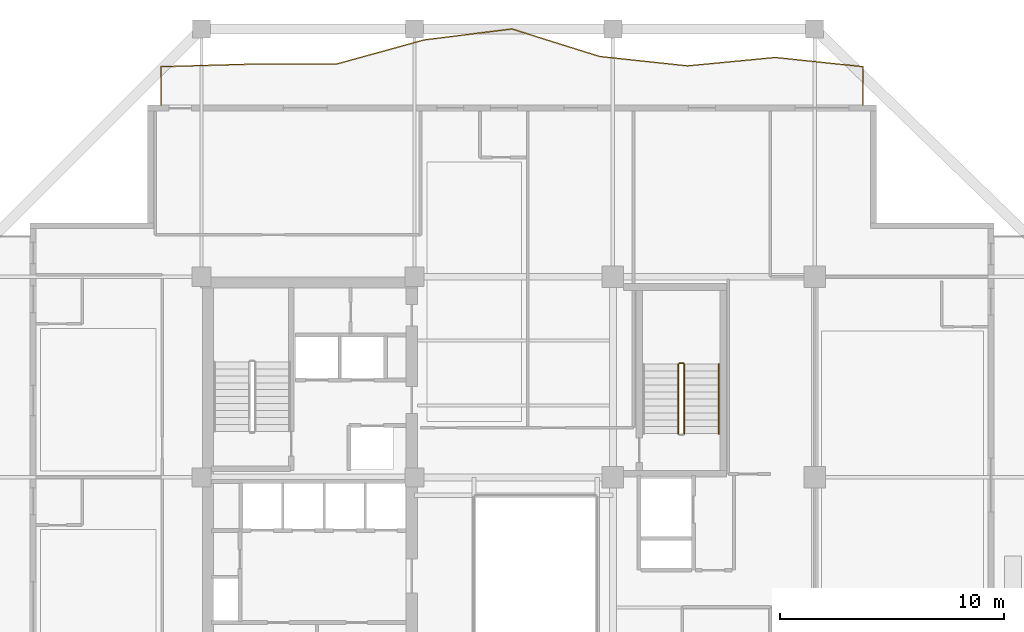
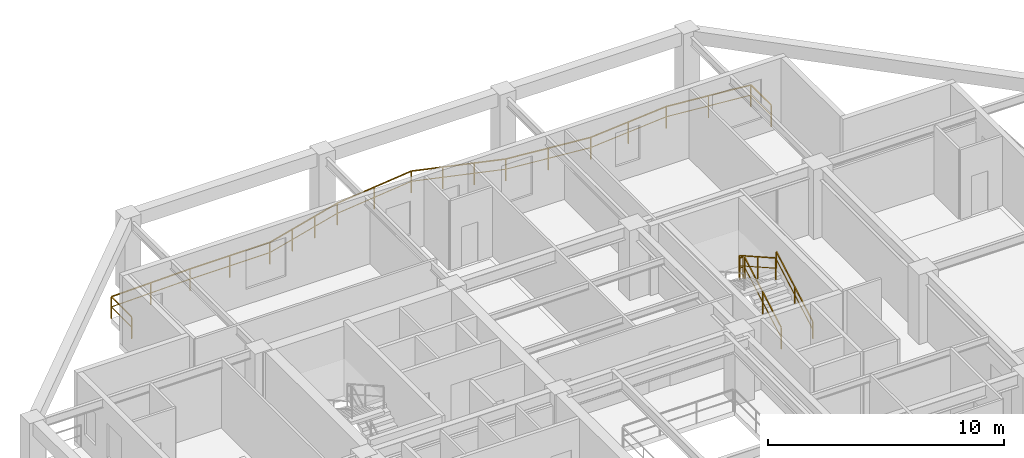
# One storey, part 12 of 13: 5 railings.
"""IFC4 building model written with IfcOpenShell, lengths in metres."""

from ifc_helpers import new_model, si_unit, direction, frame, origin, origin_2d, place, context, subcontext, project, spatial, rectangle, extrude, material, type_object, element, save


model = new_model("IFC4")

# Units and contexts
model_context = context("Model", 3, precision=1e-05, world=origin(), true_north=direction((0.0, 1.0)))
body_context = subcontext(model_context, "Body", "Model", "MODEL_VIEW")
ifc_project = project(units=[si_unit("LENGTHUNIT", "METRE"), si_unit("AREAUNIT", "SQUARE_METRE"), si_unit("VOLUMEUNIT", "CUBIC_METRE"), si_unit("PLANEANGLEUNIT", "RADIAN"), si_unit("MASSUNIT", "GRAM", prefix="KILO")], contexts=[model_context])

# Site, building, storey
site_placement = place(None, origin())
site = spatial("IfcSite", under=ifc_project, at=site_placement, CompositionType="ELEMENT")
building_placement = place(site_placement, origin())
building = spatial("IfcBuilding", under=site, at=building_placement, Name="Kundavana Baori Tower", CompositionType="ELEMENT")
storey_placement = place(building_placement, frame((0.0, 0.0, 177.14990234375)))
storey = spatial("IfcBuildingStorey", under=building, at=storey_placement, Name="L43", CompositionType="ELEMENT", Elevation=177.14990234375)

# Railings
ifc_material_1 = material(Name="Architectural Patinated Bronze Metalwork")
railing_type_1 = type_object("IfcRailingType", Name="RL-BAL-1150", PredefinedType="BALUSTRADE", material=ifc_material_1)
railing_1_placement = place(storey_placement, frame((13.64990234375, 49.60009765625, 0.0)))
element("IfcRailing", 1, at=railing_1_placement, inside=storey, type_object=railing_type_1, Name="L43 Loggia Balcony Balustrade N", PredefinedType="BALUSTRADE", context=body_context, shape_type="SweptSolid", body=[
    extrude(rectangle(XDim=0.048095703125, YDim=0.048095703125, at=origin_2d()), frame((0.0, 0.0, 1.1259765625), z_axis=(0.0, 1.0, 0.0), x_axis=(-1.0, 0.0, 0.0)), (0.0, 0.0, 1.0), 1.719970703125),
    extrude(rectangle(XDim=0.03125, YDim=0.03125, at=origin_2d()), frame((0.0, 0.0, 0.597900390625), z_axis=(0.0, 1.0, 0.0), x_axis=(-1.0, 0.0, 0.0)), (0.0, 0.0, 1.0), 1.719970703125),
    extrude(rectangle(XDim=0.048095703125, YDim=0.048095703125, at=origin_2d()), frame((0.0, 1.719970703125, 1.1259765625), z_axis=(0.999598876166, 0.028321136407, 0.0), x_axis=(-0.028321136407, 0.999598876166, 0.0)), (0.0, 0.0, 1.0), 3.91357421875),
    extrude(rectangle(XDim=0.03125, YDim=0.03125, at=origin_2d()), frame((0.0, 1.719970703125, 0.597900390625), z_axis=(0.999598876166, 0.028321136407, 0.0), x_axis=(-0.028321136407, 0.999598876166, 0.0)), (0.0, 0.0, 1.0), 3.91357421875),
    extrude(rectangle(XDim=0.048095703125, YDim=0.048095703125, at=origin_2d()), frame((3.912109375, 1.830810546875, 1.1259765625), z_axis=(0.99999836316, 0.001809330704, 0.0), x_axis=(-0.001809330704, 0.99999836316, 0.0)), (0.0, 0.0, 1.0), 3.9130859375),
    extrude(rectangle(XDim=0.03125, YDim=0.03125, at=origin_2d()), frame((3.912109375, 1.830810546875, 0.597900390625), z_axis=(0.99999836316, 0.001809330704, 0.0), x_axis=(-0.001809330704, 0.99999836316, 0.0)), (0.0, 0.0, 1.0), 3.9130859375),
    extrude(rectangle(XDim=0.048095703125, YDim=0.048095703125, at=origin_2d()), frame((7.8251953125, 1.837890625, 1.1259765625), z_axis=(0.964150387558, 0.26535642101, 0.0), x_axis=(-0.26535642101, 0.964150387558, 0.0)), (0.0, 0.0, 1.0), 4.058349609375),
    extrude(rectangle(XDim=0.03125, YDim=0.03125, at=origin_2d()), frame((7.8251953125, 1.837890625, 0.597900390625), z_axis=(0.964150387558, 0.26535642101, 0.0), x_axis=(-0.26535642101, 0.964150387558, 0.0)), (0.0, 0.0, 1.0), 4.058349609375),
    extrude(rectangle(XDim=0.048095703125, YDim=0.048095703125, at=origin_2d()), frame((11.738037109375, 2.914794921875, 1.1259765625), z_axis=(0.992399355567, 0.12305900646, 0.0), x_axis=(-0.12305900646, 0.992399355567, 0.0)), (0.0, 0.0, 1.0), 3.942138671875),
    extrude(rectangle(XDim=0.03125, YDim=0.03125, at=origin_2d()), frame((11.738037109375, 2.914794921875, 0.597900390625), z_axis=(0.992399355567, 0.12305900646, 0.0), x_axis=(-0.12305900646, 0.992399355567, 0.0)), (0.0, 0.0, 1.0), 3.942138671875),
    extrude(rectangle(XDim=0.048095703125, YDim=0.048095703125, at=origin_2d()), frame((15.650146484375, 3.39990234375, 1.1259765625), z_axis=(0.954317732276, -0.298793684443, 0.0), x_axis=(0.298793684443, 0.954317732276, 0.0)), (0.0, 0.0, 1.0), 4.10009765625),
    extrude(rectangle(XDim=0.03125, YDim=0.03125, at=origin_2d()), frame((15.650146484375, 3.39990234375, 0.597900390625), z_axis=(0.954317732276, -0.298793684443, 0.0), x_axis=(0.298793684443, 0.954317732276, 0.0)), (0.0, 0.0, 1.0), 4.10009765625),
    extrude(rectangle(XDim=0.048095703125, YDim=0.048095703125, at=origin_2d()), frame((19.56298828125, 2.1748046875, 1.1259765625), z_axis=(0.994341035776, -0.106235138121, 0.0), x_axis=(0.106235138121, 0.994341035776, 0.0)), (0.0, 0.0, 1.0), 3.934326171875),
    extrude(rectangle(XDim=0.03125, YDim=0.03125, at=origin_2d()), frame((19.56298828125, 2.1748046875, 0.597900390625), z_axis=(0.994341035776, -0.106235138121, 0.0), x_axis=(0.106235138121, 0.994341035776, 0.0)), (0.0, 0.0, 1.0), 3.934326171875),
    extrude(rectangle(XDim=0.048095703125, YDim=0.048095703125, at=origin_2d()), frame((23.47509765625, 1.7568359375, 1.1259765625), z_axis=(0.995463034765, 0.095149074698, 0.0), x_axis=(-0.095149074698, 0.995463034765, 0.0)), (0.0, 0.0, 1.0), 3.930908203125),
    extrude(rectangle(XDim=0.03125, YDim=0.03125, at=origin_2d()), frame((23.47509765625, 1.7568359375, 0.597900390625), z_axis=(0.995463034765, 0.095149074698, 0.0), x_axis=(-0.095149074698, 0.995463034765, 0.0)), (0.0, 0.0, 1.0), 3.930908203125),
    extrude(rectangle(XDim=0.048095703125, YDim=0.048095703125, at=origin_2d()), frame((27.38818359375, 2.130859375, 1.1259765625), z_axis=(0.994528895054, -0.104461844247, 0.0), x_axis=(0.104461844247, 0.994528895054, 0.0)), (0.0, 0.0, 1.0), 3.933349609375),
    extrude(rectangle(XDim=0.03125, YDim=0.03125, at=origin_2d()), frame((27.38818359375, 2.130859375, 0.597900390625), z_axis=(0.994528895054, -0.104461844247, 0.0), x_axis=(0.104461844247, 0.994528895054, 0.0)), (0.0, 0.0, 1.0), 3.933349609375),
    extrude(rectangle(XDim=0.048095703125, YDim=0.048095703125, at=origin_2d()), frame((31.300048828125, 1.719970703125, 1.1259765625), z_axis=(0.0, -1.0, 0.0), x_axis=(1.0, 0.0, 0.0)), (0.0, 0.0, 1.0), 1.719970703125),
    extrude(rectangle(XDim=0.03125, YDim=0.03125, at=origin_2d()), frame((31.300048828125, 1.719970703125, 0.597900390625), z_axis=(0.0, -1.0, 0.0), x_axis=(1.0, 0.0, 0.0)), (0.0, 0.0, 1.0), 1.719970703125),
    extrude(rectangle(XDim=0.0419921875, YDim=0.0419921875, at=origin_2d()), origin(), (0.0, 0.0, 1.0), 1.101806640625),
    extrude(rectangle(XDim=0.0419921875, YDim=0.0419921875, at=origin_2d()), frame((0.0, 1.719970703125, 0.0)), (0.0, 0.0, 1.0), 1.101806640625),
    extrude(rectangle(XDim=0.0419921875, YDim=0.0419921875, at=origin_2d()), frame((1.9560546875, 1.775390625, 0.0)), (0.0, 0.0, 1.0), 1.101806640625),
    extrude(rectangle(XDim=0.0419921875, YDim=0.0419921875, at=origin_2d()), frame((3.912109375, 1.830810546875, 0.0)), (0.0, 0.0, 1.0), 1.101806640625),
    extrude(rectangle(XDim=0.0419921875, YDim=0.0419921875, at=origin_2d()), frame((5.86865234375, 1.83447265625, 0.0)), (0.0, 0.0, 1.0), 1.101806640625),
    extrude(rectangle(XDim=0.0419921875, YDim=0.0419921875, at=origin_2d()), frame((7.8251953125, 1.837890625, 0.0)), (0.0, 0.0, 1.0), 1.101806640625),
    extrude(rectangle(XDim=0.0419921875, YDim=0.0419921875, at=origin_2d()), frame((9.12939453125, 2.19677734375, 0.0)), (0.0, 0.0, 1.0), 1.101806640625),
    extrude(rectangle(XDim=0.0419921875, YDim=0.0419921875, at=origin_2d()), frame((10.433837890625, 2.555908203125, 0.0)), (0.0, 0.0, 1.0), 1.101806640625),
    extrude(rectangle(XDim=0.0419921875, YDim=0.0419921875, at=origin_2d()), frame((11.738037109375, 2.914794921875, 0.0)), (0.0, 0.0, 1.0), 1.101806640625),
    extrude(rectangle(XDim=0.0419921875, YDim=0.0419921875, at=origin_2d()), frame((13.694091796875, 3.1572265625, 0.0)), (0.0, 0.0, 1.0), 1.101806640625),
    extrude(rectangle(XDim=0.0419921875, YDim=0.0419921875, at=origin_2d()), frame((15.650146484375, 3.39990234375, 0.0)), (0.0, 0.0, 1.0), 1.101806640625),
    extrude(rectangle(XDim=0.0419921875, YDim=0.0419921875, at=origin_2d()), frame((16.954345703125, 2.991455078125, 0.0)), (0.0, 0.0, 1.0), 1.101806640625),
    extrude(rectangle(XDim=0.0419921875, YDim=0.0419921875, at=origin_2d()), frame((18.2587890625, 2.583251953125, 0.0)), (0.0, 0.0, 1.0), 1.101806640625),
    extrude(rectangle(XDim=0.0419921875, YDim=0.0419921875, at=origin_2d()), frame((19.56298828125, 2.1748046875, 0.0)), (0.0, 0.0, 1.0), 1.101806640625),
    extrude(rectangle(XDim=0.0419921875, YDim=0.0419921875, at=origin_2d()), frame((21.51904296875, 1.9658203125, 0.0)), (0.0, 0.0, 1.0), 1.101806640625),
    extrude(rectangle(XDim=0.0419921875, YDim=0.0419921875, at=origin_2d()), frame((23.47509765625, 1.7568359375, 0.0)), (0.0, 0.0, 1.0), 1.101806640625),
    extrude(rectangle(XDim=0.0419921875, YDim=0.0419921875, at=origin_2d()), frame((25.431640625, 1.94384765625, 0.0)), (0.0, 0.0, 1.0), 1.101806640625),
    extrude(rectangle(XDim=0.0419921875, YDim=0.0419921875, at=origin_2d()), frame((27.38818359375, 2.130859375, 0.0)), (0.0, 0.0, 1.0), 1.101806640625),
    extrude(rectangle(XDim=0.0419921875, YDim=0.0419921875, at=origin_2d()), frame((29.34423828125, 1.92529296875, 0.0)), (0.0, 0.0, 1.0), 1.101806640625),
    extrude(rectangle(XDim=0.0419921875, YDim=0.0419921875, at=origin_2d()), frame((31.300048828125, 1.719970703125, 0.0)), (0.0, 0.0, 1.0), 1.101806640625),
    extrude(rectangle(XDim=0.0419921875, YDim=0.0419921875, at=origin_2d()), frame((31.300048828125, 0.0, 0.0)), (0.0, 0.0, 1.0), 1.101806640625),
])
ifc_material_2 = material(Name="Architectural Patinated Bronze Metalwork")
railing_type_2 = type_object("IfcRailingType", Name="RL-GRD-1150", PredefinedType="GUARDRAIL", material=ifc_material_2)
railing_2_placement = place(storey_placement, frame((36.97998046875, 34.949951171875, 0.175048828125)))
element("IfcRailing", 2, at=railing_2_placement, inside=storey, type_object=railing_type_2, Name="L43 ST3 stair guard 1", PredefinedType="GUARDRAIL", context=body_context, shape_type="SweptSolid", body=[
    extrude(rectangle(XDim=0.048095703125, YDim=0.048095703125, at=origin_2d()), frame((0.0, 0.0, 1.1259765625), z_axis=(0.0, 0.870830938388, 0.491582624537), x_axis=(-1.0, 0.0, 0.0)), (0.0, 0.0, 1.0), 3.559814453125),
    extrude(rectangle(XDim=0.03125, YDim=0.03125, at=origin_2d()), frame((0.0, 0.0, 0.597900390625), z_axis=(0.0, 0.870830938388, 0.491582624537), x_axis=(-1.0, 0.0, 0.0)), (0.0, 0.0, 1.0), 3.559814453125),
    extrude(rectangle(XDim=0.0419921875, YDim=0.0419921875, at=origin_2d()), origin(), (0.0, 0.0, 1.0), 1.101806640625),
    extrude(rectangle(XDim=0.0419921875, YDim=0.0419921875, at=origin_2d()), frame((0.0, 1.550048828125, 0.875)), (0.0, 0.0, 1.0), 1.101806640625),
    extrude(rectangle(XDim=0.0419921875, YDim=0.0419921875, at=origin_2d()), frame((0.0, 3.10009765625, 1.75)), (0.0, 0.0, 1.0), 1.101806640625),
])
railing_3_placement = place(storey_placement, frame((36.929931640625, 38.10009765625, 1.925048828125)))
element("IfcRailing", 3, at=railing_3_placement, inside=storey, type_object=railing_type_2, Name="L43 ST3 stair guard 2", PredefinedType="GUARDRAIL", context=body_context, shape_type="SweptSolid", body=[
    extrude(rectangle(XDim=0.048095703125, YDim=0.048095703125, at=origin_2d()), frame((0.0, 0.0, 1.1259765625), z_axis=(-1.0, 0.0, 0.0), x_axis=(0.0, -1.0, 0.0)), (0.0, 0.0, 1.0), 0.159912109375),
    extrude(rectangle(XDim=0.03125, YDim=0.03125, at=origin_2d()), frame((0.0, 0.0, 0.597900390625), z_axis=(-1.0, 0.0, 0.0), x_axis=(0.0, -1.0, 0.0)), (0.0, 0.0, 1.0), 0.159912109375),
    extrude(rectangle(XDim=0.0419921875, YDim=0.0419921875, at=origin_2d()), origin(), (0.0, 0.0, 1.0), 1.101806640625),
    extrude(rectangle(XDim=0.0419921875, YDim=0.0419921875, at=origin_2d()), frame((-0.159912109375, 0.0, 0.0)), (0.0, 0.0, 1.0), 1.101806640625),
])
railing_4_placement = place(storey_placement, frame((36.719970703125, 38.050048828125, 2.10009765625)))
element("IfcRailing", 4, at=railing_4_placement, inside=storey, type_object=railing_type_2, Name="L43 ST3 stair guard 3", PredefinedType="GUARDRAIL", context=body_context, shape_type="SweptSolid", body=[
    extrude(rectangle(XDim=0.048095703125, YDim=0.048095703125, at=origin_2d()), frame((0.0, 0.0, 1.1259765625), z_axis=(0.0, -0.870830938388, 0.491582624537), x_axis=(1.0, 0.0, 0.0)), (0.0, 0.0, 1.0), 3.559814453125),
    extrude(rectangle(XDim=0.03125, YDim=0.03125, at=origin_2d()), frame((0.0, 0.0, 0.597900390625), z_axis=(0.0, -0.870830938388, 0.491582624537), x_axis=(1.0, 0.0, 0.0)), (0.0, 0.0, 1.0), 3.559814453125),
    extrude(rectangle(XDim=0.0419921875, YDim=0.0419921875, at=origin_2d()), origin(), (0.0, 0.0, 1.0), 1.101806640625),
    extrude(rectangle(XDim=0.0419921875, YDim=0.0419921875, at=origin_2d()), frame((0.0, -1.550048828125, 0.875)), (0.0, 0.0, 1.0), 1.101806640625),
    extrude(rectangle(XDim=0.0419921875, YDim=0.0419921875, at=origin_2d()), frame((0.0, -3.10009765625, 1.75)), (0.0, 0.0, 1.0), 1.101806640625),
])
ifc_material_3 = material(Name="Architectural Patinated Bronze Metalwork")
railing_type_3 = type_object("IfcRailingType", Name="RL-HND-920", PredefinedType="HANDRAIL", material=ifc_material_3)
railing_5_placement = place(storey_placement, frame((38.530029296875, 34.949951171875, 0.175048828125)))
element("IfcRailing", 5, at=railing_5_placement, inside=storey, type_object=railing_type_3, Name="L43 ST3 stair handrail 1", PredefinedType="HANDRAIL", context=body_context, shape_type="SweptSolid", body=[
    extrude(rectangle(XDim=0.048095703125, YDim=0.048095703125, at=origin_2d()), frame((0.0, 0.0, 0.8759765625), z_axis=(0.0, 0.870830938388, 0.491582624537), x_axis=(-1.0, 0.0, 0.0)), (0.0, 0.0, 1.0), 3.559814453125),
    extrude(rectangle(XDim=0.03125, YDim=0.03125, at=origin_2d()), frame((0.0, 0.0, 0.468017578125), z_axis=(0.0, 0.870830938388, 0.491582624537), x_axis=(-1.0, 0.0, 0.0)), (0.0, 0.0, 1.0), 3.559814453125),
    extrude(rectangle(XDim=0.0419921875, YDim=0.0419921875, at=origin_2d()), origin(), (0.0, 0.0, 1.0), 0.851806640625),
    extrude(rectangle(XDim=0.0419921875, YDim=0.0419921875, at=origin_2d()), frame((0.0, 1.550048828125, 0.875)), (0.0, 0.0, 1.0), 0.851806640625),
    extrude(rectangle(XDim=0.0419921875, YDim=0.0419921875, at=origin_2d()), frame((0.0, 3.10009765625, 1.75)), (0.0, 0.0, 1.0), 0.851806640625),
])

save(model, "model.ifc")
